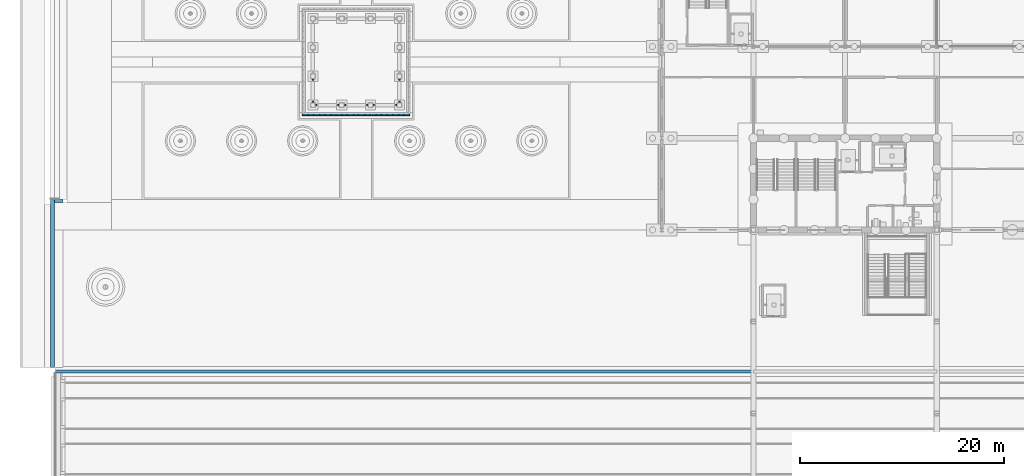
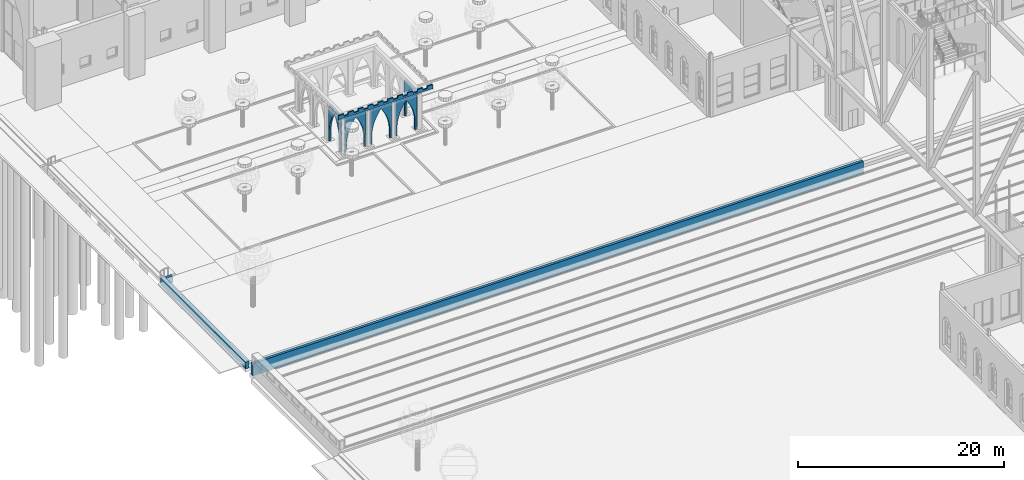
# One storey, part 99 of 250: 9 walls.
"""IFC4 building model written with IfcOpenShell, lengths in metres."""

from ifc_helpers import new_model, si_unit, direction, frame, frame_2d, origin, place, context, subcontext, project, spatial, polyline, rectangle, outline, extrude, material, layer, layer_set, type_object, element, save


model = new_model("IFC4")

# Units and contexts
model_context = context("Model", 3, precision=1e-05, world=origin(), true_north=direction((0.0, 1.0)))
body_context = subcontext(model_context, "Body", "Model", "MODEL_VIEW")
ifc_project = project(units=[si_unit("LENGTHUNIT", "METRE"), si_unit("AREAUNIT", "SQUARE_METRE"), si_unit("VOLUMEUNIT", "CUBIC_METRE"), si_unit("PLANEANGLEUNIT", "RADIAN"), si_unit("MASSUNIT", "GRAM", prefix="KILO")], contexts=[model_context])

# Site, building, storey
site_placement = place(None, origin())
site = spatial("IfcSite", under=ifc_project, at=site_placement, CompositionType="ELEMENT")
building_placement = place(site_placement, origin())
building = spatial("IfcBuilding", under=site, at=building_placement, Name="Baradari Gate Terminus", CompositionType="ELEMENT")
storey_placement = place(building_placement, origin())
storey = spatial("IfcBuildingStorey", under=building, at=storey_placement, Name="L00", CompositionType="ELEMENT", Elevation=0.0)

# Walls
ifc_material_1 = material(Name="Precast concrete C40/50", Category="concrete")
ifc_layer_1 = layer(ifc_material_1, 0.199951171875)
ifc_layer_set_1 = layer_set([ifc_layer_1], Name="Precast concrete C40/50")
wall_type_1 = type_object("IfcWallType", Name="Court pavilion arched spandrel wall CPA-1 200", PredefinedType="SOLIDWALL", material=ifc_layer_set_1)
for number, where, z_axis, x_axis, name in (
    (1, (29.0, 93.25, 0.14990234375), (0.0, 0.0, 1.0), (1.0, 0.0, 0.0), "Court pavilion arched wall 1"),
    (2, (31.833251953125, 93.25, 0.14990234375), (0.0, 0.0, 1.0), (1.0, 0.0, 0.0), "Court pavilion arched wall 2"),
    (3, (34.666748046875, 93.25, 0.14990234375), (0.0, 0.0, 1.0), (1.0, 0.0, 0.0), "Court pavilion arched wall 3"),
    (4, (37.25, 93.5, 0.14990234375), (0.0, 0.0, 1.0), (0.0, 1.0, 0.0), "Court pavilion arched wall 4"),
    (5, (28.75, 95.833251953125, 0.14990234375), (0.0, 0.0, 1.0), (0.0, -1.0, 0.0), "Court pavilion arched wall 12"),
):
    element("IfcWall", number, at=place(storey_placement, frame(where, z_axis=z_axis, x_axis=x_axis)), inside=storey, type_object=wall_type_1, Name=name, PredefinedType="SOLIDWALL", context=body_context, shape_type="SweptSolid", body=[
        extrude(outline(polyline([(0.14990234375, 0.0), (0.14990234375, 0.900146484375), (0.1572265625, 1.164794921875), (0.17919921875, 1.4287109375), (0.2158203125, 1.69091796875), (0.2666015625, 1.950927734375), (0.33203125, 2.20751953125), (0.411376953125, 2.460205078125), (0.50439453125, 2.7080078125), (0.611083984375, 2.950439453125), (0.731201171875, 3.1865234375), (0.864013671875, 3.415771484375), (1.00927734375, 3.63720703125), (1.166748046875, 3.85009765625), (1.323974609375, 3.63720703125), (1.46923828125, 3.415771484375), (1.60205078125, 3.1865234375), (1.72216796875, 2.950439453125), (1.828857421875, 2.7080078125), (1.922119140625, 2.460205078125), (2.00146484375, 2.20751953125), (2.066650390625, 1.950927734375), (2.11767578125, 1.69091796875), (2.154052734375, 1.4287109375), (2.176025390625, 1.164794921875), (2.183349609375, 0.900146484375), (2.183349609375, 0.0), (2.333251953125, 0.0), (2.333251953125, 4.2001953125), (0.0, 4.2001953125), (0.0, 0.0), (0.14990234375, 0.0)])), frame((0.0, 0.10009765625, 0.0), z_axis=(0.0, -1.0, 0.0), x_axis=(1.0, 0.0, 0.0)), (0.0, 0.0, 1.0), 0.199951171875),
    ])
ifc_material_2 = material(Name="Precast concrete C40/50", Category="concrete")
ifc_layer_2 = layer(ifc_material_2, 0.14990234375)
ifc_layer_set_2 = layer_set([ifc_layer_2], Name="Precast concrete C40/50")
wall_type_2 = type_object("IfcWallType", Name="Court pavilion merlon upstand CPU-1 150", PredefinedType="SOLIDWALL", material=ifc_layer_set_2)
wall_1_placement = place(storey_placement, frame((27.719970703125, 92.294921875, 5.10009765625), z_axis=(0.0, 0.0, 1.0), x_axis=(1.0, 0.0, 0.0)))
element("IfcWall", 6, at=wall_1_placement, inside=storey, type_object=wall_type_2, Name="Court pavilion merlon upstand 1", PredefinedType="SOLIDWALL", context=body_context, shape_type="SweptSolid", body=[
    extrude(outline(polyline([(0.0, 0.0), (10.56005859375, 0.0), (10.56005859375, 0.5), (9.9599609375, 0.5), (9.9599609375, 0.25), (9.453369140625, 0.25), (9.453369140625, 0.5), (8.853271484375, 0.5), (8.853271484375, 0.25), (8.3466796875, 0.25), (8.3466796875, 0.5), (7.74658203125, 0.5), (7.74658203125, 0.25), (7.239990234375, 0.25), (7.239990234375, 0.5), (6.639892578125, 0.5), (6.639892578125, 0.25), (6.13330078125, 0.25), (6.13330078125, 0.5), (5.533203125, 0.5), (5.533203125, 0.25), (5.026611328125, 0.25), (5.026611328125, 0.5), (4.4267578125, 0.5), (4.4267578125, 0.25), (3.919921875, 0.25), (3.919921875, 0.5), (3.320068359375, 0.5), (3.320068359375, 0.25), (2.813232421875, 0.25), (2.813232421875, 0.5), (2.21337890625, 0.5), (2.21337890625, 0.25), (1.706787109375, 0.25), (1.706787109375, 0.5), (1.106689453125, 0.5), (1.106689453125, 0.25), (0.60009765625, 0.25), (0.60009765625, 0.5), (0.0, 0.5), (0.0, 0.0)])), frame((0.0, 0.074951171875, 0.0), z_axis=(0.0, -1.0, 0.0), x_axis=(1.0, 0.0, 0.0)), (0.0, 0.0, 1.0), 0.14990234375),
])
ifc_material_3 = material(Name="Sandstone masonry", Category="masonry")
ifc_layer_3 = layer(ifc_material_3, 0.39990234375)
ifc_layer_set_3 = layer_set([ifc_layer_3], Name="Sandstone masonry")
wall_type_3 = type_object("IfcWallType", Name="Plinth retaining wall KW-1 400", PredefinedType="SOLIDWALL", material=ifc_layer_set_3)
wall_2_placement = place(storey_placement, frame((3.199951171875, 67.5, -0.800048828125), z_axis=(0.0, 0.0, 1.0), x_axis=(0.0, 1.0, 0.0)))
element("IfcWall", 7, at=wall_2_placement, inside=storey, type_object=wall_type_3, Name="Plinth retaining wall W2", PredefinedType="SOLIDWALL", context=body_context, shape_type="SweptSolid", body=[
    extrude(rectangle(XDim=16.5, YDim=0.39990234375, at=frame_2d((8.25, 0.0))), origin(), (0.0, 0.0, 1.0), 0.800048828125),
])
ifc_material_4 = material(Name="Sandstone masonry", Category="masonry")
ifc_layer_4 = layer(ifc_material_4, 0.300048828125)
ifc_layer_set_4 = layer_set([ifc_layer_4], Name="Sandstone masonry")
wall_type_4 = type_object("IfcWallType", Name="Retaining cheek wall KW-2 300", PredefinedType="SOLIDWALL", material=ifc_layer_set_4)
wall_3_placement = place(storey_placement, frame((3.39990234375, 83.85009765625, -0.800048828125), z_axis=(0.0, 0.0, 1.0), x_axis=(1.0, 0.0, 0.0)))
element("IfcWall", 8, at=wall_3_placement, inside=storey, type_object=wall_type_4, Name="Return wall West gate a", PredefinedType="SOLIDWALL", context=body_context, shape_type="SweptSolid", body=[
    extrude(rectangle(XDim=0.800048828125, YDim=0.300048828125, at=frame_2d((0.39990234375, 0.0))), origin(), (0.0, 0.0, 1.0), 0.800048828125),
])
ifc_material_5 = material(Name="Concrete C40/50", Category="concrete")
ifc_layer_5 = layer(ifc_material_5, 0.300048828125)
ifc_layer_set_5 = layer_set([ifc_layer_5], Name="Concrete C40/50")
wall_type_5 = type_object("IfcWallType", Name="Track wing wall WW1 300", PredefinedType="SOLIDWALL", material=ifc_layer_set_5)
wall_4_placement = place(storey_placement, frame((3.5, 67.10009765625, -1.471923828125), z_axis=(0.0, 0.0, 1.0), x_axis=(1.0, 0.0, 0.0)))
element("IfcWall", 9, at=wall_4_placement, inside=storey, type_object=wall_type_5, Name="Track wing wall WN", PredefinedType="SOLIDWALL", context=body_context, shape_type="SweptSolid", body=[
    extrude(rectangle(XDim=68.5, YDim=0.300048828125, at=frame_2d((34.25, 0.0))), origin(), (0.0, 0.0, 1.0), 1.471923828125),
])

save(model, "model.ifc")
